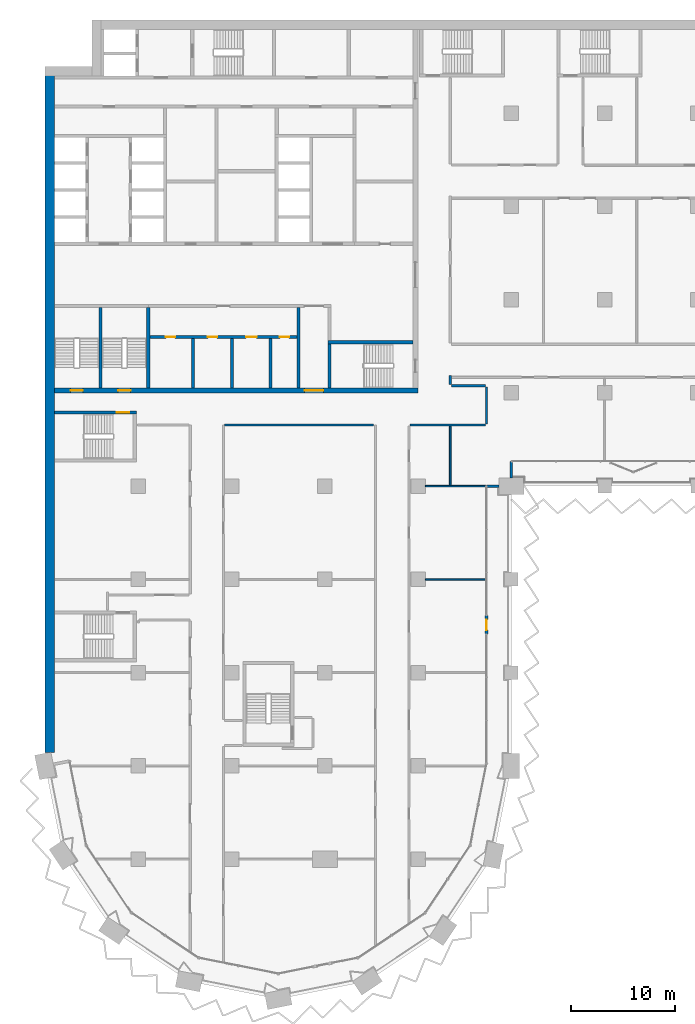
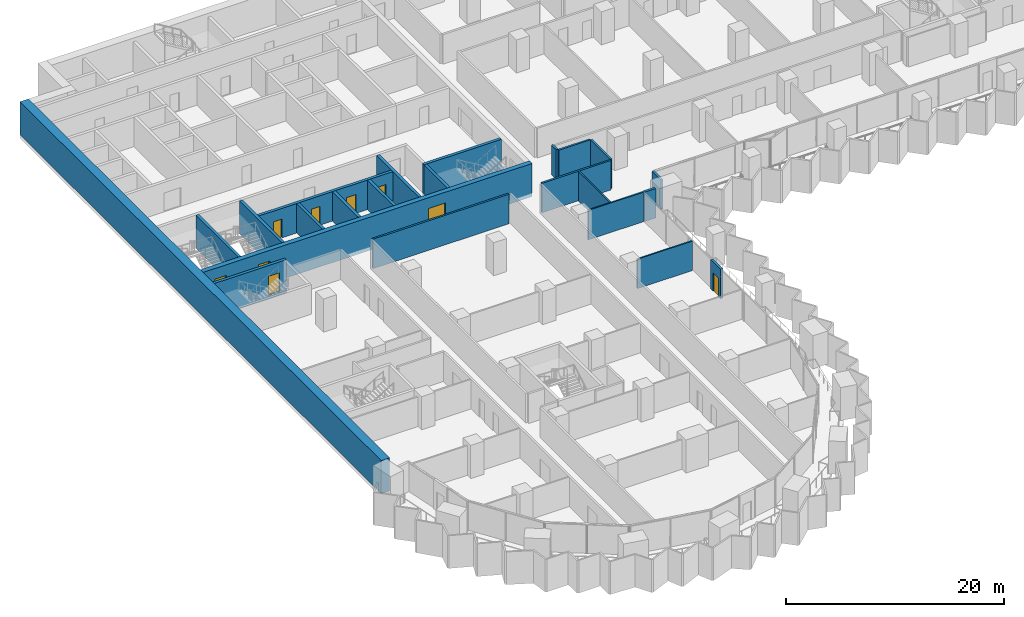
# One storey, part 12 of 28: 23 walls, 9 doors, 9 openings.
"""IFC4 building model written with IfcOpenShell, lengths in metres."""

from ifc_helpers import new_model, si_unit, direction, frame, frame_2d, origin, place, context, subcontext, project, spatial, rectangle, extrude, material, layer, layer_set, type_object, element, fill, save


model = new_model("IFC4")

# Units and contexts
model_context = context("Model", 3, precision=1e-05, world=origin(), true_north=direction((0.0, 1.0)))
body_context = subcontext(model_context, "Body", "Model", "MODEL_VIEW")
ifc_project = project(units=[si_unit("LENGTHUNIT", "METRE"), si_unit("AREAUNIT", "SQUARE_METRE"), si_unit("VOLUMEUNIT", "CUBIC_METRE"), si_unit("PLANEANGLEUNIT", "RADIAN"), si_unit("MASSUNIT", "GRAM", prefix="KILO")], contexts=[model_context])

# Site, building, storey
site_placement = place(None, origin())
site = spatial("IfcSite", under=ifc_project, at=site_placement, CompositionType="ELEMENT")
building_placement = place(site_placement, origin())
building = spatial("IfcBuilding", under=site, at=building_placement, Name="Hunhe Ridgeline Campus", CompositionType="ELEMENT")
storey_placement = place(building_placement, frame((0.0, 0.0, 35.800048828125)))
storey = spatial("IfcBuildingStorey", under=building, at=storey_placement, Name="L07", CompositionType="ELEMENT", Elevation=35.800048828125)

# Wall, openings, doors
ifc_material_1 = material(Name="Masonry concrete blockwork", Category="masonry")
ifc_layer_1 = layer(ifc_material_1, 0.300048828125)
ifc_layer_set_1 = layer_set([ifc_layer_1], Name="Core room partition 300 concrete block")
wall_type_1 = type_object("IfcWallType", Name="Core room partition 300 concrete block", PredefinedType="PARTITIONING", material=ifc_layer_set_1)
wall_1_placement = place(storey_placement, frame((10.10009765625, 68.39990234375, 0.0), z_axis=(0.0, 0.0, 1.0), x_axis=(1.0, 0.0, 0.0)))
wall_1 = element("IfcWall", 1, at=wall_1_placement, inside=storey, type_object=wall_type_1, Name="L07 core partition 10", PredefinedType="PARTITIONING", context=body_context, shape_type="SweptSolid", body=[
    extrude(rectangle(XDim=14.199951171875, YDim=0.300048828125, at=frame_2d((7.10009765625, 0.0))), origin(), (0.0, 0.0, 1.0), 3.300048828125),
])
opening_1_placement = place(wall_1_placement, frame((1.550048828125, 0.0, 0.0)))
opening_1 = element("IfcOpeningElement", 2, at=opening_1_placement, cuts=wall_1, Name="Opening CD8", PredefinedType="OPENING", context=body_context, shape_type="SweptSolid", body=[
    extrude(rectangle(XDim=0.89990234375, YDim=2.10009765625, at=frame_2d((0.449951171875, 1.050048828125))), frame((0.0, 0.14990234375, 0.0), z_axis=(0.0, -1.0, 0.0), x_axis=(1.0, 0.0, 0.0)), (0.0, 0.0, 1.0), 0.300048828125),
])
opening_2_placement = place(wall_1_placement, frame((5.60009765625, 0.0, 0.0)))
opening_2 = element("IfcOpeningElement", 3, at=opening_2_placement, cuts=wall_1, Name="Opening CD9", PredefinedType="OPENING", context=body_context, shape_type="SweptSolid", body=[
    extrude(rectangle(XDim=0.89990234375, YDim=2.10009765625, at=frame_2d((0.449951171875, 1.050048828125))), frame((0.0, 0.14990234375, 0.0), z_axis=(0.0, -1.0, 0.0), x_axis=(1.0, 0.0, 0.0)), (0.0, 0.0, 1.0), 0.300048828125),
])
opening_3_placement = place(wall_1_placement, frame((9.300048828125, 0.0, 0.0)))
opening_3 = element("IfcOpeningElement", 4, at=opening_3_placement, cuts=wall_1, Name="Opening CD10", PredefinedType="OPENING", context=body_context, shape_type="SweptSolid", body=[
    extrude(rectangle(XDim=1.0, YDim=2.10009765625, at=frame_2d((0.5, 1.050048828125))), frame((0.0, 0.14990234375, 0.0), z_axis=(0.0, -1.0, 0.0), x_axis=(1.0, 0.0, 0.0)), (0.0, 0.0, 1.0), 0.300048828125),
])
opening_4_placement = place(wall_1_placement, frame((12.550048828125, 0.0, 0.0)))
opening_4 = element("IfcOpeningElement", 5, at=opening_4_placement, cuts=wall_1, Name="Opening CD11", PredefinedType="OPENING", context=body_context, shape_type="SweptSolid", body=[
    extrude(rectangle(XDim=0.89990234375, YDim=2.10009765625, at=frame_2d((0.449951171875, 1.050048828125))), frame((0.0, 0.14990234375, 0.0), z_axis=(0.0, -1.0, 0.0), x_axis=(1.0, 0.0, 0.0)), (0.0, 0.0, 1.0), 0.300048828125),
])
ifc_material_2 = material(Name="Solid core timber door leaf", Category="wood")
door_type_1 = type_object("IfcDoorType", Name="Timber door 1000x2100", OperationType="SINGLE_SWING_LEFT", PredefinedType="DOOR", material=ifc_material_2)
door_1_placement = place(opening_3_placement, frame((1.0, 0.0, 0.0), z_axis=(0.0, 0.0, 1.0), x_axis=(-1.0, 0.0, 0.0)))
door_1 = element("IfcDoor", 6, at=door_1_placement, inside=storey, type_object=door_type_1, Name="L07 door WC3", OperationType="SINGLE_SWING_RIGHT", OverallHeight=2.10009765625, OverallWidth=1.0, PredefinedType="DOOR", context=body_context, shape_type="SweptSolid", body=[
    extrude(rectangle(XDim=1.0, YDim=2.10009765625, at=frame_2d((0.5, 1.050048828125))), frame((0.0, 0.02490234375, 0.0), z_axis=(0.0, -1.0, 0.0), x_axis=(1.0, 0.0, 0.0)), (0.0, 0.0, 1.0), 0.050048828125),
])
fill(opening_3, door_1)
door_type_2 = type_object("IfcDoorType", Name="Timber door 900x2100", OperationType="SINGLE_SWING_LEFT", PredefinedType="DOOR", material=ifc_material_2)
door_2_placement = place(opening_1_placement, frame((0.89990234375, 0.0, 0.0), z_axis=(0.0, 0.0, 1.0), x_axis=(-1.0, 0.0, 0.0)))
door_2 = element("IfcDoor", 7, at=door_2_placement, inside=storey, type_object=door_type_2, Name="L07 door WC1", OperationType="SINGLE_SWING_RIGHT", OverallHeight=2.10009765625, OverallWidth=0.89990234375, PredefinedType="DOOR", context=body_context, shape_type="SweptSolid", body=[
    extrude(rectangle(XDim=0.89990234375, YDim=2.10009765625, at=frame_2d((0.449951171875, 1.050048828125))), frame((0.0, 0.02490234375, 0.0), z_axis=(0.0, -1.0, 0.0), x_axis=(1.0, 0.0, 0.0)), (0.0, 0.0, 1.0), 0.050048828125),
])
fill(opening_1, door_2)
door_3_placement = place(opening_2_placement, frame((0.89990234375, 0.0, 0.0), z_axis=(0.0, 0.0, 1.0), x_axis=(-1.0, 0.0, 0.0)))
door_3 = element("IfcDoor", 8, at=door_3_placement, inside=storey, type_object=door_type_2, Name="L07 door WC2", OperationType="SINGLE_SWING_LEFT", OverallHeight=2.10009765625, OverallWidth=0.89990234375, PredefinedType="DOOR", context=body_context, shape_type="SweptSolid", body=[
    extrude(rectangle(XDim=0.89990234375, YDim=2.10009765625, at=frame_2d((0.449951171875, 1.050048828125))), frame((0.0, 0.02490234375, 0.0), z_axis=(0.0, -1.0, 0.0), x_axis=(1.0, 0.0, 0.0)), (0.0, 0.0, 1.0), 0.050048828125),
])
fill(opening_2, door_3)
door_4_placement = place(opening_4_placement, frame((0.89990234375, 0.0, 0.0), z_axis=(0.0, 0.0, 1.0), x_axis=(-1.0, 0.0, 0.0)))
door_4 = element("IfcDoor", 9, at=door_4_placement, inside=storey, type_object=door_type_2, Name="L07 door WC4", OperationType="SINGLE_SWING_LEFT", OverallHeight=2.10009765625, OverallWidth=0.89990234375, PredefinedType="DOOR", context=body_context, shape_type="SweptSolid", body=[
    extrude(rectangle(XDim=0.89990234375, YDim=2.10009765625, at=frame_2d((0.449951171875, 1.050048828125))), frame((0.0, 0.02490234375, 0.0), z_axis=(0.0, -1.0, 0.0), x_axis=(1.0, 0.0, 0.0)), (0.0, 0.0, 1.0), 0.050048828125),
])
fill(opening_4, door_4)

# Walls
for number, where, z_axis, x_axis, name in (
    (10, (14.25, 63.5, 0.0), (0.0, 0.0, 1.0), (0.0, 1.0, 0.0), "L07 core partition 48"),
    (11, (18.050048828125, 63.5, 0.0), (0.0, 0.0, 1.0), (0.0, 1.0, 0.0), "L07 core partition 50"),
    (12, (21.75, 63.5, 0.0), (0.0, 0.0, 1.0), (0.0, 1.0, 0.0), "L07 core partition 52"),
):
    element("IfcWall", number, at=place(storey_placement, frame(where, z_axis=z_axis, x_axis=x_axis)), inside=storey, type_object=wall_type_1, Name=name, PredefinedType="PARTITIONING", context=body_context, shape_type="SweptSolid", body=[
        extrude(rectangle(XDim=4.75, YDim=0.300048828125, at=frame_2d((2.375, 0.0))), origin(), (0.0, 0.0, 1.0), 3.300048828125),
    ])
wall_2_placement = place(storey_placement, frame((24.449951171875, 63.5, 0.0), z_axis=(0.0, 0.0, 1.0), x_axis=(0.0, 1.0, 0.0)))
element("IfcWall", 13, at=wall_2_placement, inside=storey, type_object=wall_type_1, Name="L07 core partition 57", PredefinedType="PARTITIONING", context=body_context, shape_type="SweptSolid", body=[
    extrude(rectangle(XDim=7.75, YDim=0.300048828125, at=frame_2d((3.875, 0.0))), origin(), (0.0, 0.0, 1.0), 3.300048828125),
])

# Wall, openings, doors
ifc_material_3 = material(Name="Concrete C80", Category="concrete")
ifc_layer_2 = layer(ifc_material_3, 0.5)
ifc_layer_set_2 = layer_set([ifc_layer_2], Name="Core wall 500 reinforced concrete C80")
wall_type_2 = type_object("IfcWallType", Name="Core wall 500 reinforced concrete C80", PredefinedType="SOLIDWALL", material=ifc_layer_set_2)
wall_3_placement = place(storey_placement, frame((0.89990234375, 63.25, -0.400146484375), z_axis=(0.0, 0.0, 1.0), x_axis=(1.0, 0.0, 0.0)))
wall_3 = element("IfcWall", 14, at=wall_3_placement, inside=storey, type_object=wall_type_2, Name="L07 core wall 7", PredefinedType="SOLIDWALL", context=body_context, shape_type="SweptSolid", body=[
    extrude(rectangle(XDim=35.10009765625, YDim=0.5, at=frame_2d((17.550048828125, 0.0))), origin(), (0.0, 0.0, 1.0), 3.7001953125),
])
opening_5_placement = place(wall_3_placement, frame((24.14990234375, 0.0, 0.39990234375)))
opening_5 = element("IfcOpeningElement", 15, at=opening_5_placement, cuts=wall_3, Name="Opening CD6", PredefinedType="OPENING", context=body_context, shape_type="SweptSolid", body=[
    extrude(rectangle(XDim=1.800048828125, YDim=2.10009765625, at=frame_2d((0.89990234375, 1.050048828125))), frame((0.0, 0.25, 0.0), z_axis=(0.0, -1.0, 0.0), x_axis=(1.0, 0.0, 0.0)), (0.0, 0.0, 1.0), 0.5),
])
opening_6_placement = place(wall_3_placement, frame((1.550048828125, 0.0, 0.39990234375)))
opening_6 = element("IfcOpeningElement", 16, at=opening_6_placement, cuts=wall_3, Name="Opening CD13", PredefinedType="OPENING", context=body_context, shape_type="SweptSolid", body=[
    extrude(rectangle(XDim=1.199951171875, YDim=2.10009765625, at=frame_2d((0.60009765625, 1.050048828125))), frame((0.0, 0.25, 0.0), z_axis=(0.0, -1.0, 0.0), x_axis=(1.0, 0.0, 0.0)), (0.0, 0.0, 1.0), 0.5),
])
opening_7_placement = place(wall_3_placement, frame((6.14990234375, 0.0, 0.39990234375)))
opening_7 = element("IfcOpeningElement", 17, at=opening_7_placement, cuts=wall_3, Name="Opening CD14", PredefinedType="OPENING", context=body_context, shape_type="SweptSolid", body=[
    extrude(rectangle(XDim=1.199951171875, YDim=2.10009765625, at=frame_2d((0.60009765625, 1.050048828125))), frame((0.0, 0.25, 0.0), z_axis=(0.0, -1.0, 0.0), x_axis=(1.0, 0.0, 0.0)), (0.0, 0.0, 1.0), 0.5),
])
ifc_material_4 = material(Name="Anodised aluminium and glass", Category="aluminium")
door_type_3 = type_object("IfcDoorType", Name="Glazed double door 1800x2100", OperationType="DOUBLE_DOOR_SINGLE_SWING", PredefinedType="DOOR", material=ifc_material_4)
door_5_placement = place(opening_5_placement, frame((1.800048828125, 0.0, 0.0), z_axis=(0.0, 0.0, 1.0), x_axis=(-1.0, 0.0, 0.0)))
door_5 = element("IfcDoor", 18, at=door_5_placement, inside=storey, type_object=door_type_3, Name="L07 door VEST-FLOOR", OperationType="DOUBLE_DOOR_SINGLE_SWING", OverallHeight=2.10009765625, OverallWidth=1.800048828125, PredefinedType="DOOR", context=body_context, shape_type="SweptSolid", body=[
    extrude(rectangle(XDim=1.800048828125, YDim=2.10009765625, at=frame_2d((0.89990234375, 1.050048828125))), frame((0.0, 0.02490234375, 0.0), z_axis=(0.0, -1.0, 0.0), x_axis=(1.0, 0.0, 0.0)), (0.0, 0.0, 1.0), 0.050048828125),
])
fill(opening_5, door_5)
ifc_material_5 = material(Name="Hollow metal fire door leaf")
door_type_4 = type_object("IfcDoorType", Name="Stair door 1200x2100 FD60", OperationType="SINGLE_SWING_LEFT", PredefinedType="DOOR", material=ifc_material_5)
door_6_placement = place(opening_6_placement, frame((1.199951171875, 0.0, 0.0), z_axis=(0.0, 0.0, 1.0), x_axis=(-1.0, 0.0, 0.0)))
door_6 = element("IfcDoor", 19, at=door_6_placement, inside=storey, type_object=door_type_4, Name="L07 door S3", OperationType="SINGLE_SWING_RIGHT", OverallHeight=2.10009765625, OverallWidth=1.199951171875, PredefinedType="DOOR", context=body_context, shape_type="SweptSolid", body=[
    extrude(rectangle(XDim=1.199951171875, YDim=2.10009765625, at=frame_2d((0.60009765625, 1.050048828125))), frame((0.0, 0.02490234375, 0.0), z_axis=(0.0, -1.0, 0.0), x_axis=(1.0, 0.0, 0.0)), (0.0, 0.0, 1.0), 0.050048828125),
])
fill(opening_6, door_6)
door_7_placement = place(opening_7_placement, frame((1.199951171875, 0.0, 0.0), z_axis=(0.0, 0.0, 1.0), x_axis=(-1.0, 0.0, 0.0)))
door_7 = element("IfcDoor", 20, at=door_7_placement, inside=storey, type_object=door_type_4, Name="L07 door S4", OperationType="SINGLE_SWING_LEFT", OverallHeight=2.10009765625, OverallWidth=1.199951171875, PredefinedType="DOOR", context=body_context, shape_type="SweptSolid", body=[
    extrude(rectangle(XDim=1.199951171875, YDim=2.10009765625, at=frame_2d((0.60009765625, 1.050048828125))), frame((0.0, 0.02490234375, 0.0), z_axis=(0.0, -1.0, 0.0), x_axis=(1.0, 0.0, 0.0)), (0.0, 0.0, 1.0), 0.050048828125),
])
fill(opening_7, door_7)

# Walls
ifc_material_6 = material(Name="Concrete C30", Category="concrete")
ifc_layer_3 = layer(ifc_material_6, 0.25)
ifc_layer_set_3 = layer_set([ifc_layer_3], Name="Corner return wall 250 Concrete C30")
wall_type_3 = type_object("IfcWallType", Name="Corner return wall 250 Concrete C30", PredefinedType="SOLIDWALL", material=ifc_layer_set_3)
wall_4_placement = place(storey_placement, frame((42.59912109375, 54.0, 0.0), z_axis=(0.0, 0.0, 1.0), x_axis=(0.999999917344, 0.000406586671, 0.0)))
element("IfcWall", 21, at=wall_4_placement, inside=storey, type_object=wall_type_3, Name="Corner return wall 2", PredefinedType="SOLIDWALL", context=body_context, shape_type="SweptSolid", body=[
    extrude(rectangle(XDim=1.200927734375, YDim=0.25, at=frame_2d((0.6005859375, 0.0))), origin(), (0.0, 0.0, 1.0), 3.300048828125),
])
wall_5_placement = place(storey_placement, frame((44.999267578125, 54.800048828125, 0.0), z_axis=(0.0, 0.0, 1.0), x_axis=(0.000152508767, 0.999999988371, 0.0)))
element("IfcWall", 22, at=wall_5_placement, inside=storey, type_object=wall_type_3, Name="Corner return wall 3", PredefinedType="SOLIDWALL", context=body_context, shape_type="SweptSolid", body=[
    extrude(rectangle(XDim=1.600830078125, YDim=0.25, at=frame_2d((0.80029296875, 0.0))), origin(), (0.0, 0.0, 1.0), 3.300048828125),
])
ifc_material_7 = material(Name="Gypsum board partition")
ifc_layer_4 = layer(ifc_material_7, 0.199951171875)
ifc_layer_set_4 = layer_set([ifc_layer_4], Name="Corridor partition 200 gypsum board on steel studs")
wall_type_4 = type_object("IfcWallType", Name="Corridor partition 200 gypsum board on steel studs", PredefinedType="PARTITIONING", material=ifc_layer_set_4)
wall_6_placement = place(storey_placement, frame((31.6982421875, 59.89990234375, 0.0), z_axis=(0.0, 0.0, 1.0), x_axis=(-1.0, 0.0, 0.0)))
element("IfcWall", 23, at=wall_6_placement, inside=storey, type_object=wall_type_4, Name="F-L07-wall-029", PredefinedType="PARTITIONING", context=body_context, shape_type="SweptSolid", body=[
    extrude(rectangle(XDim=14.370361328125, YDim=0.199951171875, at=frame_2d((7.18505859375, 0.0))), origin(), (0.0, 0.0, 1.0), 3.300048828125),
])
wall_7_placement = place(storey_placement, frame((42.5, 59.89990234375, 0.0), z_axis=(0.0, 0.0, 1.0), x_axis=(-1.0, 0.0, 0.0)))
element("IfcWall", 24, at=wall_7_placement, inside=storey, type_object=wall_type_4, Name="F-L07-wall-030", PredefinedType="PARTITIONING", context=body_context, shape_type="SweptSolid", body=[
    extrude(rectangle(XDim=7.300048828125, YDim=0.199951171875, at=frame_2d((3.64990234375, 0.0))), origin(), (0.0, 0.0, 1.0), 3.300048828125),
])
wall_8_placement = place(storey_placement, frame((39.199951171875, 63.699951171875, 0.0), z_axis=(0.0, 0.0, 1.0), x_axis=(1.0, 0.0, 0.0)))
element("IfcWall", 25, at=wall_8_placement, inside=storey, type_object=wall_type_4, Name="F-L07-wall-033", PredefinedType="PARTITIONING", context=body_context, shape_type="SweptSolid", body=[
    extrude(rectangle(XDim=3.300048828125, YDim=0.199951171875, at=frame_2d((1.64990234375, 0.0))), origin(), (0.0, 0.0, 1.0), 3.300048828125),
])
wall_9_placement = place(storey_placement, frame((39.10009765625, 64.68994140625, 0.0), z_axis=(0.0, 0.0, 1.0), x_axis=(0.0, -1.0, 0.0)))
element("IfcWall", 26, at=wall_9_placement, inside=storey, type_object=wall_type_4, Name="F-L07-wall-054", PredefinedType="PARTITIONING", context=body_context, shape_type="SweptSolid", body=[
    extrude(rectangle(XDim=0.889892578125, YDim=0.199951171875, at=frame_2d((0.44482421875, 0.0))), origin(), (0.0, 0.0, 1.0), 3.300048828125),
])
wall_10_placement = place(storey_placement, frame((42.60009765625, 63.60009765625, 0.0), z_axis=(0.0, 0.0, 1.0), x_axis=(0.0, -1.0, 0.0)))
element("IfcWall", 27, at=wall_10_placement, inside=storey, type_object=wall_type_4, Name="F-L07-wall-057", PredefinedType="PARTITIONING", context=body_context, shape_type="SweptSolid", body=[
    extrude(rectangle(XDim=3.60009765625, YDim=0.199951171875, at=frame_2d((1.800048828125, 0.0))), origin(), (0.0, 0.0, 1.0), 3.300048828125),
])

# Wall, opening, door
ifc_layer_5 = layer(ifc_material_6, 0.25)
ifc_layer_set_5 = layer_set([ifc_layer_5], Name="Loggia door pier wall 250 Concrete C30")
wall_type_5 = type_object("IfcWallType", Name="Loggia door pier wall 250 Concrete C30", PredefinedType="SOLIDWALL", material=ifc_layer_set_5)
wall_11_placement = place(storey_placement, frame((42.59912109375, 39.71826171875, 0.0), z_axis=(0.0, 0.0, 1.0), x_axis=(0.0, 1.0, 0.0)))
wall_11 = element("IfcWall", 28, at=wall_11_placement, inside=storey, type_object=wall_type_5, Name="Loggia door pier 3", PredefinedType="SOLIDWALL", context=body_context, shape_type="SweptSolid", body=[
    extrude(rectangle(XDim=1.800048828125, YDim=0.25, at=frame_2d((0.89990234375, 0.0))), origin(), (0.0, 0.0, 1.0), 3.300048828125),
])
opening_8_placement = place(wall_11_placement, frame((0.39990234375, 0.0, 0.0)))
opening_8 = element("IfcOpeningElement", 29, at=opening_8_placement, cuts=wall_11, Name="Opening BD105", PredefinedType="OPENING", context=body_context, shape_type="SweptSolid", body=[
    extrude(rectangle(XDim=1.0, YDim=2.10009765625, at=frame_2d((0.5, 1.050048828125))), frame((0.0, 0.125, 0.0), z_axis=(0.0, -1.0, 0.0), x_axis=(1.0, 0.0, 0.0)), (0.0, 0.0, 1.0), 0.25),
])
ifc_material_8 = material(Name="Aluminium 6063", Category="aluminium")
door_type_5 = type_object("IfcDoorType", Name="Loggia glazed door 1000x2100", OperationType="NOTDEFINED", PredefinedType="DOOR", material=ifc_material_8)
door_8_placement = place(opening_8_placement, frame((1.0, 0.0, 0.0), z_axis=(0.0, 0.0, 1.0), x_axis=(-1.0, 0.0, 0.0)))
door_8 = element("IfcDoor", 30, at=door_8_placement, inside=storey, type_object=door_type_5, Name="Loggia door BD105", OperationType="SINGLE_SWING_RIGHT", OverallHeight=2.10009765625, OverallWidth=1.0, PredefinedType="DOOR", context=body_context, shape_type="SweptSolid", body=[
    extrude(rectangle(XDim=1.0, YDim=2.10009765625, at=frame_2d((0.5, 1.050048828125))), frame((0.0, 0.02490234375, 0.0), z_axis=(0.0, -1.0, 0.0), x_axis=(1.0, 0.0, 0.0)), (0.0, 0.0, 1.0), 0.050048828125),
])
fill(opening_8, door_8)

# Walls
ifc_layer_6 = layer(ifc_material_7, 0.14990234375)
ifc_layer_set_6 = layer_set([ifc_layer_6], Name="Room partition 150 gypsum board on steel studs")
wall_type_6 = type_object("IfcWallType", Name="Room partition 150 gypsum board on steel studs", PredefinedType="PARTITIONING", material=ifc_layer_set_6)
for number, where, z_axis, x_axis, name in (
    (31, (36.699951171875, 45.0, 0.0), (0.0, 0.0, 1.0), (1.0, 0.0, 0.0), "F-L07-wall-026"),
    (32, (36.699951171875, 54.0, 0.0), (0.0, 0.0, 1.0), (1.0, 0.0, 0.0), "F-L07-wall-027"),
):
    element("IfcWall", number, at=place(storey_placement, frame(where, z_axis=z_axis, x_axis=x_axis)), inside=storey, type_object=wall_type_6, Name=name, PredefinedType="PARTITIONING", context=body_context, shape_type="SweptSolid", body=[
        extrude(rectangle(XDim=5.844970703125, YDim=0.14990234375, at=frame_2d((2.92236328125, 0.0))), origin(), (0.0, 0.0, 1.0), 3.300048828125),
    ])
wall_12_placement = place(storey_placement, frame((39.10009765625, 59.800048828125, 0.0), z_axis=(0.0, 0.0, 1.0), x_axis=(0.0, -1.0, 0.0)))
element("IfcWall", 33, at=wall_12_placement, inside=storey, type_object=wall_type_6, Name="F-L07-wall-053", PredefinedType="PARTITIONING", context=body_context, shape_type="SweptSolid", body=[
    extrude(rectangle(XDim=5.72509765625, YDim=0.14990234375, at=frame_2d((2.862548828125, 0.0))), origin(), (0.0, 0.0, 1.0), 3.300048828125),
])
ifc_layer_7 = layer(ifc_material_3, 0.89990234375)
ifc_layer_set_7 = layer_set([ifc_layer_7], Name="Spine wall 900 Concrete C80")
wall_type_7 = type_object("IfcWallType", Name="Spine wall 900 Concrete C80", PredefinedType="SHEAR", material=ifc_layer_set_7)
wall_13_placement = place(storey_placement, frame((0.449951171875, 94.5, 0.0), z_axis=(0.0, 0.0, 1.0), x_axis=(0.0, -1.0, 0.0)))
element("IfcWall", 34, at=wall_13_placement, inside=storey, type_object=wall_type_7, Name="Spine wall SW1-1 L07", PredefinedType="SHEAR", context=body_context, shape_type="SweptSolid", body=[
    extrude(rectangle(XDim=66.18701171875, YDim=0.89990234375, at=frame_2d((33.093505859375, 0.0))), origin(), (0.0, 0.0, 1.0), 3.699951171875),
])

# Wall, opening, door
ifc_layer_8 = layer(ifc_material_3, 0.300048828125)
ifc_layer_set_8 = layer_set([ifc_layer_8], Name="Stair wall 300 reinforced concrete C80")
wall_type_8 = type_object("IfcWallType", Name="Stair wall 300 reinforced concrete C80", PredefinedType="SOLIDWALL", material=ifc_layer_set_8)
wall_14_placement = place(storey_placement, frame((0.89990234375, 61.10009765625, -0.400146484375), z_axis=(0.0, 0.0, 1.0), x_axis=(1.0, 0.0, 0.0)))
wall_14 = element("IfcWall", 35, at=wall_14_placement, inside=storey, type_object=wall_type_8, Name="L07 core wall 6", PredefinedType="SOLIDWALL", context=body_context, shape_type="SweptSolid", body=[
    extrude(rectangle(XDim=7.900146484375, YDim=0.300048828125, at=frame_2d((3.9501953125, 0.0))), origin(), (0.0, 0.0, 1.0), 3.7001953125),
])
opening_9_placement = place(wall_14_placement, frame((6.0, 0.0, 0.39990234375)))
opening_9 = element("IfcOpeningElement", 36, at=opening_9_placement, cuts=wall_14, Name="Opening CD22", PredefinedType="OPENING", context=body_context, shape_type="SweptSolid", body=[
    extrude(rectangle(XDim=1.199951171875, YDim=2.10009765625, at=frame_2d((0.60009765625, 1.050048828125))), frame((0.0, 0.14990234375, 0.0), z_axis=(0.0, -1.0, 0.0), x_axis=(1.0, 0.0, 0.0)), (0.0, 0.0, 1.0), 0.300048828125),
])
door_9_placement = place(opening_9_placement, origin())
door_9 = element("IfcDoor", 37, at=door_9_placement, inside=storey, type_object=door_type_4, Name="L07 door W2", OperationType="SINGLE_SWING_RIGHT", OverallHeight=2.10009765625, OverallWidth=1.199951171875, PredefinedType="DOOR", context=body_context, shape_type="SweptSolid", body=[
    extrude(rectangle(XDim=1.199951171875, YDim=2.10009765625, at=frame_2d((0.60009765625, 1.050048828125))), frame((0.0, 0.02490234375, 0.0), z_axis=(0.0, -1.0, 0.0), x_axis=(1.0, 0.0, 0.0)), (0.0, 0.0, 1.0), 0.050048828125),
])
fill(opening_9, door_9)

# Walls
wall_15_placement = place(storey_placement, frame((27.300048828125, 67.89990234375, -0.400146484375), z_axis=(0.0, 0.0, 1.0), x_axis=(1.0, 0.0, 0.0)))
element("IfcWall", 38, at=wall_15_placement, inside=storey, type_object=wall_type_8, Name="L07 core wall 9", PredefinedType="SOLIDWALL", context=body_context, shape_type="SweptSolid", body=[
    extrude(rectangle(XDim=8.199951171875, YDim=0.300048828125, at=frame_2d((4.10009765625, 0.0))), origin(), (0.0, 0.0, 1.0), 3.7001953125),
])
for number, where, z_axis, x_axis, name in (
    (39, (5.35009765625, 63.5, -0.400146484375), (0.0, 0.0, 1.0), (0.0, 1.0, 0.0), "L07 core wall 38"),
    (40, (9.949951171875, 63.5, -0.400146484375), (0.0, 0.0, 1.0), (0.0, 1.0, 0.0), "L07 core wall 44"),
):
    element("IfcWall", number, at=place(storey_placement, frame(where, z_axis=z_axis, x_axis=x_axis)), inside=storey, type_object=wall_type_8, Name=name, PredefinedType="SOLIDWALL", context=body_context, shape_type="SweptSolid", body=[
        extrude(rectangle(XDim=7.75, YDim=0.300048828125, at=frame_2d((3.875, 0.0))), origin(), (0.0, 0.0, 1.0), 3.7001953125),
    ])
wall_16_placement = place(storey_placement, frame((27.449951171875, 63.5, -0.400146484375), z_axis=(0.0, 0.0, 1.0), x_axis=(0.0, 1.0, 0.0)))
element("IfcWall", 41, at=wall_16_placement, inside=storey, type_object=wall_type_8, Name="L07 core wall 59", PredefinedType="SOLIDWALL", context=body_context, shape_type="SweptSolid", body=[
    extrude(rectangle(XDim=4.25, YDim=0.300048828125, at=frame_2d((2.125, 0.0))), origin(), (0.0, 0.0, 1.0), 3.7001953125),
])

save(model, "model.ifc")
